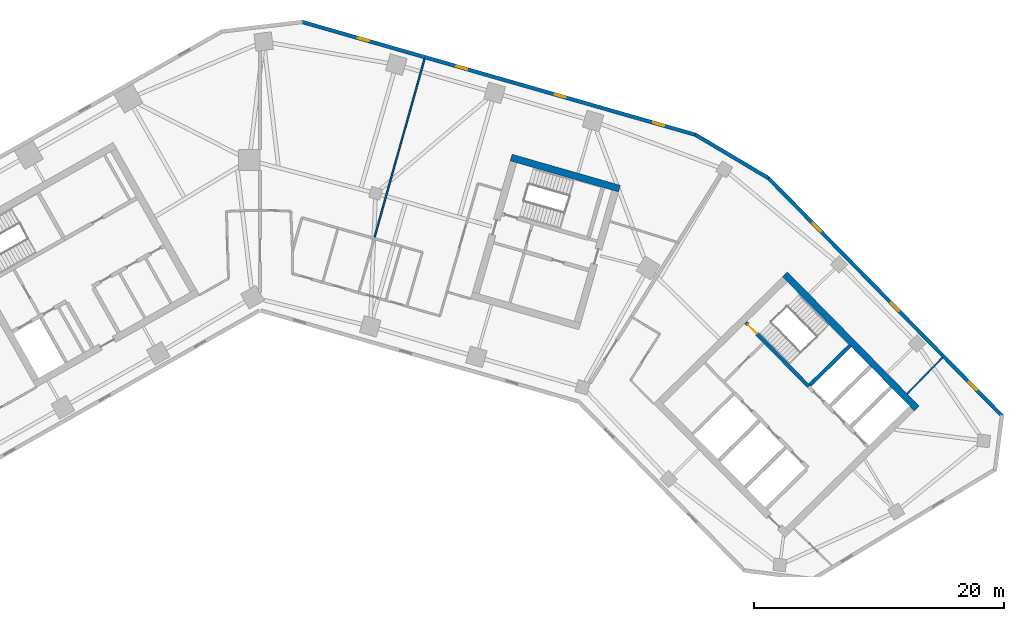
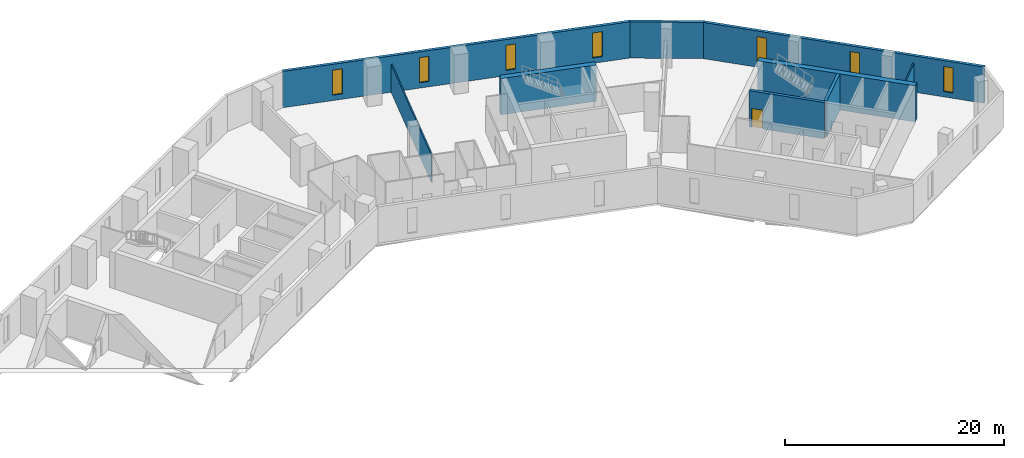
# One storey, part 7 of 10: 9 walls, 7 windows, 1 door, 8 openings.
"""IFC4 building model written with IfcOpenShell, lengths in metres."""

from ifc_helpers import new_model, si_unit, direction, frame, frame_2d, origin, place, context, subcontext, project, spatial, rectangle, extrude, material, layer, layer_set, type_object, element, fill, save


model = new_model("IFC4")

# Units and contexts
model_context = context("Model", 3, precision=1e-05, world=origin(), true_north=direction((0.0, 1.0)))
body_context = subcontext(model_context, "Body", "Model", "MODEL_VIEW")
ifc_project = project(units=[si_unit("LENGTHUNIT", "METRE"), si_unit("AREAUNIT", "SQUARE_METRE"), si_unit("VOLUMEUNIT", "CUBIC_METRE"), si_unit("PLANEANGLEUNIT", "RADIAN"), si_unit("MASSUNIT", "GRAM", prefix="KILO")], contexts=[model_context])

# Site, building, storey
site_placement = place(None, origin())
site = spatial("IfcSite", under=ifc_project, at=site_placement, CompositionType="ELEMENT")
building_placement = place(site_placement, origin())
building = spatial("IfcBuilding", under=site, at=building_placement, Name="Binnacle Exchange Tower", CompositionType="ELEMENT")
storey_placement = place(building_placement, frame((0.0, 0.0, 145.5)))
storey = spatial("IfcBuildingStorey", under=building, at=storey_placement, Name="L30", CompositionType="ELEMENT", Elevation=145.5)

# Walls
ifc_material_1 = material(Name="Concrete C70/85", Category="concrete")
ifc_layer_1 = layer(ifc_material_1, 0.550048828125)
ifc_layer_set_1 = layer_set([ifc_layer_1], Name="Core wall - outer 550")
wall_type_1 = type_object("IfcWallType", Name="Core wall - outer 550", PredefinedType="SOLIDWALL", material=ifc_layer_set_1)
wall_1_placement = place(storey_placement, frame((41.934326171875, 50.873291015625, 0.0), z_axis=(0.0, 0.0, 1.0), x_axis=(0.700911255944, -0.713248491965, 0.0)))
element("IfcWall", 1, at=wall_1_placement, inside=storey, type_object=wall_type_1, Name="Core wall CRWB6", PredefinedType="SOLIDWALL", context=body_context, shape_type="SweptSolid", body=[
    extrude(rectangle(XDim=15.0, YDim=0.550048828125, at=frame_2d((7.5, 0.0))), origin(), (0.0, 0.0, 1.0), 4.050048828125),
])
wall_2_placement = place(storey_placement, frame((20.059814453125, 60.20361328125, 0.0), z_axis=(0.0, 0.0, 1.0), x_axis=(0.96126248289, -0.275634611374, 0.0)))
element("IfcWall", 2, at=wall_2_placement, inside=storey, type_object=wall_type_1, Name="Core wall CRWD6", PredefinedType="SOLIDWALL", context=body_context, shape_type="SweptSolid", body=[
    extrude(rectangle(XDim=9.0, YDim=0.550048828125, at=frame_2d((4.5, 0.0))), origin(), (0.0, 0.0, 1.0), 4.050048828125),
])

# Wall, opening, door
ifc_layer_2 = layer(ifc_material_1, 0.300048828125)
ifc_layer_set_2 = layer_set([ifc_layer_2], Name="Core wall - stair 300")
wall_type_2 = type_object("IfcWallType", Name="Core wall - stair 300", PredefinedType="SOLIDWALL", material=ifc_layer_set_2)
wall_3_placement = place(storey_placement, frame((38.806884765625, 47.029052734375, 0.0), z_axis=(0.0, 0.0, 1.0), x_axis=(0.700916852778, -0.713242991898, 0.0)))
wall_3 = element("IfcWall", 3, at=wall_3_placement, inside=storey, type_object=wall_type_2, Name="Core wall CRWB4", PredefinedType="SOLIDWALL", context=body_context, shape_type="SweptSolid", body=[
    extrude(rectangle(XDim=7.150146484375, YDim=0.300048828125, at=frame_2d((3.5751953125, 0.0))), origin(), (0.0, 0.0, 1.0), 4.050048828125),
])
opening_1_placement = place(wall_3_placement, frame((0.25, 0.0, 0.0)))
opening_1 = element("IfcOpeningElement", 4, at=opening_1_placement, cuts=wall_3, Name="Opening DB1", PredefinedType="OPENING", context=body_context, shape_type="SweptSolid", body=[
    extrude(rectangle(XDim=1.0, YDim=2.10009765625, at=frame_2d((0.5, 1.050048828125))), frame((0.0, 0.159912109375, 0.0), z_axis=(0.0, -1.0, 0.0), x_axis=(1.0, 0.0, 0.0)), (0.0, 0.0, 1.0), 0.320068359375),
])
ifc_material_2 = material(Name="Steel door leaf", Category="steel")
door_type = type_object("IfcDoorType", Name="Fire door 1000", OperationType="NOTDEFINED", PredefinedType="DOOR", material=ifc_material_2)
door_placement = place(opening_1_placement, origin())
door = element("IfcDoor", 5, at=door_placement, inside=storey, type_object=door_type, Name="Stair door ST-B1", OperationType="SINGLE_SWING_LEFT", OverallHeight=2.10009765625, OverallWidth=1.0, PredefinedType="DOOR", context=body_context, shape_type="SweptSolid", body=[
    extrude(rectangle(XDim=1.0, YDim=2.10009765625, at=frame_2d((0.5, 1.050048828125))), frame((0.0, 0.02490234375, 0.0), z_axis=(0.0, -1.0, 0.0), x_axis=(1.0, 0.0, 0.0)), (0.0, 0.0, 1.0), 0.050048828125),
])
fill(opening_1, door)

# Walls
wall_4_placement = place(storey_placement, frame((43.925537109375, 42.034423828125, 0.0), z_axis=(0.0, 0.0, 1.0), x_axis=(0.713210801054, 0.700949608217, 0.0)))
element("IfcWall", 6, at=wall_4_placement, inside=storey, type_object=wall_type_2, Name="Core wall CRWB11", PredefinedType="SOLIDWALL", context=body_context, shape_type="SweptSolid", body=[
    extrude(rectangle(XDim=4.5, YDim=0.300048828125, at=frame_2d((2.25, 0.0))), origin(), (0.0, 0.0, 1.0), 4.050048828125),
])
ifc_material_3 = material(Name="Bronze aluminium cladding", Category="aluminium")
ifc_layer_3 = layer(ifc_material_3, 0.300048828125)
ifc_layer_set_3 = layer_set([ifc_layer_3], Name="External wall - spandrel 300")
wall_type_3 = type_object("IfcWallType", Name="External wall - spandrel 300", PredefinedType="STANDARD", material=ifc_layer_set_3)
wall_5_placement = place(storey_placement, frame((34.773193359375, 62.0341796875, 0.0), z_axis=(0.0, 0.0, 1.0), x_axis=(0.859401317772, -0.511301647769, 0.0)))
element("IfcWall", 7, at=wall_5_placement, inside=storey, type_object=wall_type_3, Name="External wall EW-F00 L30", PredefinedType="STANDARD", context=body_context, shape_type="SweptSolid", body=[
    extrude(rectangle(XDim=6.80810546875, YDim=0.300048828125, at=frame_2d((3.404052734375, 0.0))), origin(), (0.0, 0.0, 1.0), 4.050048828125),
])

# Wall, openings, windows
wall_6_placement = place(storey_placement, frame((3.33544921875, 71.043701171875, 0.0), z_axis=(0.0, 0.0, 1.0), x_axis=(0.961260130989, -0.275642813387, 0.0)))
wall_6 = element("IfcWall", 8, at=wall_6_placement, inside=storey, type_object=wall_type_3, Name="External wall EW-F01 L30", PredefinedType="STANDARD", context=body_context, shape_type="SweptSolid", body=[
    extrude(rectangle(XDim=32.7412109375, YDim=0.300048828125, at=frame_2d((16.37060546875, 0.0))), origin(), (0.0, 0.0, 1.0), 4.050048828125),
])
opening_2_placement = place(wall_6_placement, frame((29.20703125, 0.0, 0.60009765625)))
opening_2 = element("IfcOpeningElement", 9, at=opening_2_placement, cuts=wall_6, Name="Opening WS2", PredefinedType="OPENING", context=body_context, shape_type="SweptSolid", body=[
    extrude(rectangle(XDim=0.89990234375, YDim=2.800048828125, at=frame_2d((0.449951171875, 1.39990234375))), frame((0.0, 0.159912109375, 0.0), z_axis=(0.0, -1.0, 0.0), x_axis=(1.0, 0.0, 0.0)), (0.0, 0.0, 1.0), 0.320068359375),
])
opening_3_placement = place(wall_6_placement, frame((21.0341796875, 0.0, 0.60009765625)))
opening_3 = element("IfcOpeningElement", 10, at=opening_3_placement, cuts=wall_6, Name="Opening WS2", PredefinedType="OPENING", context=body_context, shape_type="SweptSolid", body=[
    extrude(rectangle(XDim=0.89990234375, YDim=2.800048828125, at=frame_2d((0.449951171875, 1.39990234375))), frame((0.0, 0.159912109375, 0.0), z_axis=(0.0, -1.0, 0.0), x_axis=(1.0, 0.0, 0.0)), (0.0, 0.0, 1.0), 0.320068359375),
])
opening_4_placement = place(wall_6_placement, frame((12.861083984375, 0.0, 0.60009765625)))
opening_4 = element("IfcOpeningElement", 11, at=opening_4_placement, cuts=wall_6, Name="Opening WS2", PredefinedType="OPENING", context=body_context, shape_type="SweptSolid", body=[
    extrude(rectangle(XDim=0.89990234375, YDim=2.800048828125, at=frame_2d((0.449951171875, 1.39990234375))), frame((0.0, 0.159912109375, 0.0), z_axis=(0.0, -1.0, 0.0), x_axis=(1.0, 0.0, 0.0)), (0.0, 0.0, 1.0), 0.320068359375),
])
opening_5_placement = place(wall_6_placement, frame((4.688232421875, 0.0, 0.60009765625)))
opening_5 = element("IfcOpeningElement", 12, at=opening_5_placement, cuts=wall_6, Name="Opening WS2", PredefinedType="OPENING", context=body_context, shape_type="SweptSolid", body=[
    extrude(rectangle(XDim=0.89990234375, YDim=2.800048828125, at=frame_2d((0.449951171875, 1.39990234375))), frame((0.0, 0.159912109375, 0.0), z_axis=(0.0, -1.0, 0.0), x_axis=(1.0, 0.0, 0.0)), (0.0, 0.0, 1.0), 0.320068359375),
])
ifc_material_4 = material(Name="Bronze anodised aluminium frame", Category="aluminium")
window_type = type_object("IfcWindowType", Name="WS2 WINDOW 900x2800", PartitioningType="SINGLE_PANEL", PredefinedType="WINDOW", material=ifc_material_4)
window_1_placement = place(opening_2_placement, origin())
window_1 = element("IfcWindow", 13, at=window_1_placement, inside=storey, type_object=window_type, Name="Window WS2 L30", OverallHeight=2.800048828125, OverallWidth=0.89990234375, PartitioningType="SINGLE_PANEL", PredefinedType="WINDOW", context=body_context, shape_type="SweptSolid", body=[
    extrude(rectangle(XDim=0.89990234375, YDim=2.800048828125, at=frame_2d((0.449951171875, 1.39990234375))), frame((0.0, 0.030029296875, 0.0), z_axis=(0.0, -1.0, 0.0), x_axis=(1.0, 0.0, 0.0)), (0.0, 0.0, 1.0), 0.06005859375),
])
fill(opening_2, window_1)
window_2_placement = place(opening_3_placement, origin())
window_2 = element("IfcWindow", 14, at=window_2_placement, inside=storey, type_object=window_type, Name="Window WS2 L30", OverallHeight=2.800048828125, OverallWidth=0.89990234375, PartitioningType="SINGLE_PANEL", PredefinedType="WINDOW", context=body_context, shape_type="SweptSolid", body=[
    extrude(rectangle(XDim=0.89990234375, YDim=2.800048828125, at=frame_2d((0.449951171875, 1.39990234375))), frame((0.0, 0.030029296875, 0.0), z_axis=(0.0, -1.0, 0.0), x_axis=(1.0, 0.0, 0.0)), (0.0, 0.0, 1.0), 0.06005859375),
])
fill(opening_3, window_2)
window_3_placement = place(opening_4_placement, origin())
window_3 = element("IfcWindow", 15, at=window_3_placement, inside=storey, type_object=window_type, Name="Window WS2 L30", OverallHeight=2.800048828125, OverallWidth=0.89990234375, PartitioningType="SINGLE_PANEL", PredefinedType="WINDOW", context=body_context, shape_type="SweptSolid", body=[
    extrude(rectangle(XDim=0.89990234375, YDim=2.800048828125, at=frame_2d((0.449951171875, 1.39990234375))), frame((0.0, 0.030029296875, 0.0), z_axis=(0.0, -1.0, 0.0), x_axis=(1.0, 0.0, 0.0)), (0.0, 0.0, 1.0), 0.06005859375),
])
fill(opening_4, window_3)
window_4_placement = place(opening_5_placement, origin())
window_4 = element("IfcWindow", 16, at=window_4_placement, inside=storey, type_object=window_type, Name="Window WS2 L30", OverallHeight=2.800048828125, OverallWidth=0.89990234375, PartitioningType="SINGLE_PANEL", PredefinedType="WINDOW", context=body_context, shape_type="SweptSolid", body=[
    extrude(rectangle(XDim=0.89990234375, YDim=2.800048828125, at=frame_2d((0.449951171875, 1.39990234375))), frame((0.0, 0.030029296875, 0.0), z_axis=(0.0, -1.0, 0.0), x_axis=(1.0, 0.0, 0.0)), (0.0, 0.0, 1.0), 0.06005859375),
])
fill(opening_5, window_4)

wall_7_placement = place(storey_placement, frame((40.59375, 58.576904296875, 0.0), z_axis=(0.0, 0.0, 1.0), x_axis=(0.700909719808, -0.713250001528, 0.0)))
wall_7 = element("IfcWall", 17, at=wall_7_placement, inside=storey, type_object=wall_type_3, Name="External wall EW-F13 L30", PredefinedType="STANDARD", context=body_context, shape_type="SweptSolid", body=[
    extrude(rectangle(XDim=26.70849609375, YDim=0.300048828125, at=frame_2d((13.354248046875, 0.0))), origin(), (0.0, 0.0, 1.0), 4.050048828125),
])
opening_6_placement = place(wall_7_placement, frame((22.8583984375, 0.0, 0.60009765625)))
opening_6 = element("IfcOpeningElement", 18, at=opening_6_placement, cuts=wall_7, Name="Opening WS2", PredefinedType="OPENING", context=body_context, shape_type="SweptSolid", body=[
    extrude(rectangle(XDim=0.89990234375, YDim=2.800048828125, at=frame_2d((0.449951171875, 1.39990234375))), frame((0.0, 0.159912109375, 0.0), z_axis=(0.0, -1.0, 0.0), x_axis=(1.0, 0.0, 0.0)), (0.0, 0.0, 1.0), 0.320068359375),
])
opening_7_placement = place(wall_7_placement, frame((13.986572265625, 0.0, 0.60009765625)))
opening_7 = element("IfcOpeningElement", 19, at=opening_7_placement, cuts=wall_7, Name="Opening WS2", PredefinedType="OPENING", context=body_context, shape_type="SweptSolid", body=[
    extrude(rectangle(XDim=0.89990234375, YDim=2.800048828125, at=frame_2d((0.449951171875, 1.39990234375))), frame((0.0, 0.159912109375, 0.0), z_axis=(0.0, -1.0, 0.0), x_axis=(1.0, 0.0, 0.0)), (0.0, 0.0, 1.0), 0.320068359375),
])
opening_8_placement = place(wall_7_placement, frame((5.114501953125, 0.0, 0.60009765625)))
opening_8 = element("IfcOpeningElement", 20, at=opening_8_placement, cuts=wall_7, Name="Opening WS2", PredefinedType="OPENING", context=body_context, shape_type="SweptSolid", body=[
    extrude(rectangle(XDim=0.89990234375, YDim=2.800048828125, at=frame_2d((0.449951171875, 1.39990234375))), frame((0.0, 0.159912109375, 0.0), z_axis=(0.0, -1.0, 0.0), x_axis=(1.0, 0.0, 0.0)), (0.0, 0.0, 1.0), 0.320068359375),
])
window_5_placement = place(opening_6_placement, origin())
window_5 = element("IfcWindow", 21, at=window_5_placement, inside=storey, type_object=window_type, Name="Window WS2 L30", OverallHeight=2.800048828125, OverallWidth=0.89990234375, PartitioningType="SINGLE_PANEL", PredefinedType="WINDOW", context=body_context, shape_type="SweptSolid", body=[
    extrude(rectangle(XDim=0.89990234375, YDim=2.800048828125, at=frame_2d((0.449951171875, 1.39990234375))), frame((0.0, 0.030029296875, 0.0), z_axis=(0.0, -1.0, 0.0), x_axis=(1.0, 0.0, 0.0)), (0.0, 0.0, 1.0), 0.06005859375),
])
fill(opening_6, window_5)
window_6_placement = place(opening_7_placement, origin())
window_6 = element("IfcWindow", 22, at=window_6_placement, inside=storey, type_object=window_type, Name="Window WS2 L30", OverallHeight=2.800048828125, OverallWidth=0.89990234375, PartitioningType="SINGLE_PANEL", PredefinedType="WINDOW", context=body_context, shape_type="SweptSolid", body=[
    extrude(rectangle(XDim=0.89990234375, YDim=2.800048828125, at=frame_2d((0.449951171875, 1.39990234375))), frame((0.0, 0.030029296875, 0.0), z_axis=(0.0, -1.0, 0.0), x_axis=(1.0, 0.0, 0.0)), (0.0, 0.0, 1.0), 0.06005859375),
])
fill(opening_7, window_6)
window_7_placement = place(opening_8_placement, origin())
window_7 = element("IfcWindow", 23, at=window_7_placement, inside=storey, type_object=window_type, Name="Window WS2 L30", OverallHeight=2.800048828125, OverallWidth=0.89990234375, PartitioningType="SINGLE_PANEL", PredefinedType="WINDOW", context=body_context, shape_type="SweptSolid", body=[
    extrude(rectangle(XDim=0.89990234375, YDim=2.800048828125, at=frame_2d((0.449951171875, 1.39990234375))), frame((0.0, 0.030029296875, 0.0), z_axis=(0.0, -1.0, 0.0), x_axis=(1.0, 0.0, 0.0)), (0.0, 0.0, 1.0), 0.06005859375),
])
fill(opening_8, window_7)

# Walls
ifc_material_5 = material(Name="Gypsum partition")
ifc_layer_4 = layer(ifc_material_5, 0.125)
ifc_layer_set_4 = layer_set([ifc_layer_4], Name="Partition 125")
wall_type_4 = type_object("IfcWallType", Name="Partition 125", PredefinedType="PARTITIONING", material=ifc_layer_set_4)
wall_8_placement = place(storey_placement, frame((9.12890625, 53.740966796875, 0.0), z_axis=(0.0, 0.0, 1.0), x_axis=(0.269791738843, 0.962918697322, 0.0)))
element("IfcWall", 24, at=wall_8_placement, inside=storey, type_object=wall_type_4, Name="Partition W23", PredefinedType="PARTITIONING", context=body_context, shape_type="SweptSolid", body=[
    extrude(rectangle(XDim=14.885986328125, YDim=0.125, at=frame_2d((7.44287109375, 0.0))), origin(), (0.0, 0.0, 1.0), 3.117919921875),
])
wall_9_placement = place(storey_placement, frame((51.68798828125, 41.340087890625, 0.0), z_axis=(0.0, 0.0, 1.0), x_axis=(0.698090794369, 0.716009247718, 0.0)))
element("IfcWall", 25, at=wall_9_placement, inside=storey, type_object=wall_type_4, Name="Partition W41", PredefinedType="PARTITIONING", context=body_context, shape_type="SweptSolid", body=[
    extrude(rectangle(XDim=4.019287109375, YDim=0.125, at=frame_2d((2.009765625, 0.0))), origin(), (0.0, 0.0, 1.0), 3.22998046875),
])

save(model, "model.ifc")
